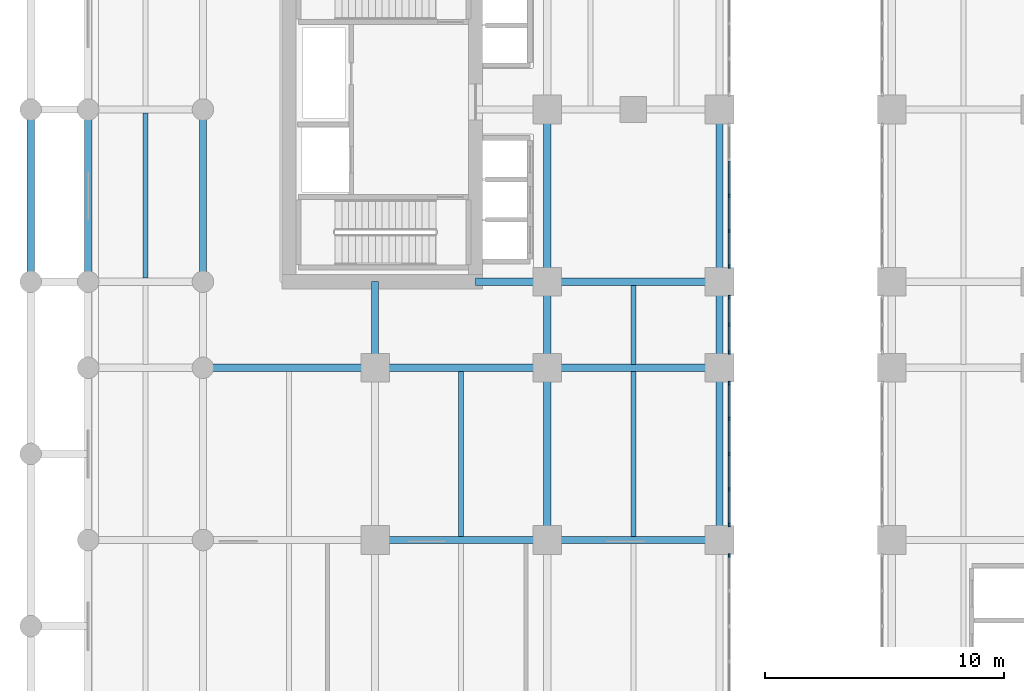
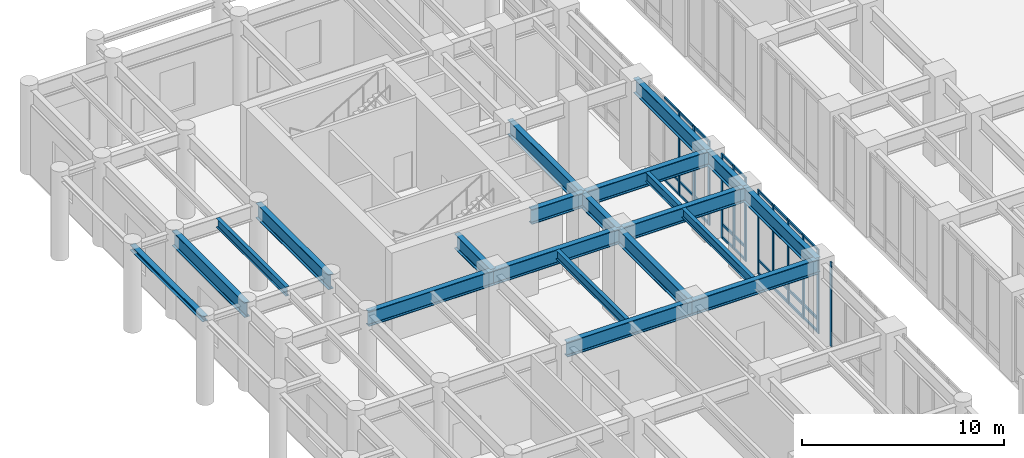
# One storey, part 3 of 23: 39 members, 21 beams, 4 elements without a shape of their own.
"""IFC4 building model written with IfcOpenShell, lengths in metres."""

import ifcopenshell
import ifcopenshell.guid

model = None  # the IFC model being written
_history = None  # IfcOwnerHistory: only IFC2X3 demands one
_inside = {}  # id of a spatial element -> (the spatial element, [elements in it])
_under = {}  # id of a project, library or spatial element -> (it, [spatial elements below it])
_declared = {}  # id of a project -> (the project, [libraries it declares])
_typed = {}  # id of a type object -> (the type object, [elements of that type])
_made_of = {}  # id of a material, layer set ... -> (it, [elements and type objects made of it])


def new_model(schema):
    """Start an empty IFC model of exactly this schema.

    Asked for "IFC4X3", IfcOpenShell would pick the latest addendum, in which some entities
    have other attributes; the version numbers below select the first issue.
    IFC2X3 requires an IfcOwnerHistory on every rooted entity: one is made here for all.
    """
    global model, _history
    if schema == "IFC4X3":
        model = ifcopenshell.file(schema_version=(4, 3, 0, 0))
    else:
        model = ifcopenshell.file(schema=schema)
    _inside.clear()
    _under.clear()
    _declared.clear()
    _typed.clear()
    _made_of.clear()
    _history = None
    if model.schema == "IFC2X3":
        org = make("IfcOrganization", Name="unknown")
        user = make(
            "IfcPersonAndOrganization",
            ThePerson=make("IfcPerson", FamilyName="unknown"),
            TheOrganization=org,
        )
        app = make(
            "IfcApplication",
            ApplicationDeveloper=org,
            Version="unknown",
            ApplicationFullName="unknown",
            ApplicationIdentifier="unknown",
        )
        _history = make(
            "IfcOwnerHistory",
            OwningUser=user,
            OwningApplication=app,
            ChangeAction="ADDED",
            CreationDate=0,
        )
    return model


def make(cls, **values):
    """One entity of the class cls with the attributes given. An attribute that is None is left unset."""
    return model.create_entity(
        cls, **{name: value for name, value in values.items() if value is not None}
    )


def rooted(cls, **values):
    """An entity with a GlobalId (a new one), such as an element, a storey or a relation."""
    return make(cls, GlobalId=ifcopenshell.guid.new(), OwnerHistory=_history, **values)


def si_unit(unit_type, name, prefix=None):
    """IfcSIUnit, for example si_unit("LENGTHUNIT", "METRE", prefix="MILLI")."""
    return make("IfcSIUnit", UnitType=unit_type, Prefix=prefix, Name=name)


def derived_unit(unit_type, elements):
    """IfcDerivedUnit: a product of units, each with its exponent."""
    return make(
        "IfcDerivedUnit",
        Elements=[
            make("IfcDerivedUnitElement", Unit=unit, Exponent=power)
            for unit, power in elements
        ],
        UnitType=unit_type,
    )


def assignment(units):
    """IfcUnitAssignment: the units of a project."""
    return None if units is None else make("IfcUnitAssignment", Units=units)


def point(xyz):
    """IfcCartesianPoint."""
    return None if xyz is None else make("IfcCartesianPoint", Coordinates=xyz)


def direction(xyz):
    """IfcDirection."""
    return None if xyz is None else make("IfcDirection", DirectionRatios=xyz)


def frame(location, z_axis=None, x_axis=None):
    """IfcAxis2Placement3D, a coordinate frame: its origin and axes. An axis left out is left unset."""
    return make(
        "IfcAxis2Placement3D",
        Location=point(location),
        Axis=direction(z_axis),
        RefDirection=direction(x_axis),
    )


def frame_2d(location, x_axis=None):
    """IfcAxis2Placement2D, a coordinate frame in the plane: its origin and x axis."""
    return make(
        "IfcAxis2Placement2D", Location=point(location), RefDirection=direction(x_axis)
    )


def origin():
    """The frame at (0, 0, 0) with its axes left unset."""
    return frame((0.0, 0.0, 0.0))


def origin_2d():
    """The frame at (0, 0) in the plane with its x axis left unset."""
    return frame_2d((0.0, 0.0))


def place(relative_to, where):
    """IfcLocalPlacement: puts the frame where relative to a parent placement (None: the world)."""
    return make(
        "IfcLocalPlacement", PlacementRelTo=relative_to, RelativePlacement=where
    )


def context(
    kind, dimensions, precision=None, world=None, true_north=None, identifier=None
):
    """IfcGeometricRepresentationContext, for example the 3D "Model" context."""
    return make(
        "IfcGeometricRepresentationContext",
        ContextIdentifier=identifier,
        ContextType=kind,
        CoordinateSpaceDimension=dimensions,
        Precision=precision,
        WorldCoordinateSystem=world,
        TrueNorth=true_north,
    )


def subcontext(parent, identifier, kind, view, scale=None):
    """IfcGeometricRepresentationSubContext, for example "Body" below "Model"."""
    return make(
        "IfcGeometricRepresentationSubContext",
        ContextIdentifier=identifier,
        ContextType=kind,
        ParentContext=parent,
        TargetScale=scale,
        TargetView=view,
    )


def project(units=None, contexts=None):
    """IfcProject with its units and contexts."""
    return rooted(
        "IfcProject",
        Name="project",
        RepresentationContexts=contexts,
        UnitsInContext=assignment(units),
    )


def spatial(cls, under=None, at=None, **own):
    """A site, building, storey or space (cls), placed at a placement, below another one or the project."""
    s = rooted(cls, ObjectPlacement=at, **own)
    if under is not None:
        _under.setdefault(under.id(), (under, []))[1].append(s)
    return s


def profile(cls, at=None, kind="AREA", **sizes):
    """A parametric profile (cls). Its sizes go by their IFC names, for example OverallWidth=200.0."""
    return make(cls, ProfileType=kind, Position=at, **sizes)


def rectangle(**sizes):
    """IfcRectangleProfileDef."""
    return profile("IfcRectangleProfileDef", **sizes)


def i_section(**sizes):
    """IfcIShapeProfileDef."""
    return profile("IfcIShapeProfileDef", **sizes)


def extrude(swept, where, along, depth):
    """IfcExtrudedAreaSolid: the profile swept, set in the frame where, extruded along a direction by depth."""
    return make(
        "IfcExtrudedAreaSolid",
        SweptArea=swept,
        Position=where,
        ExtrudedDirection=direction(along),
        Depth=depth,
    )


def shape(context_of_items, identifier, shape_type, items):
    """IfcShapeRepresentation: the items that make up one representation, for example the "Body"."""
    return make(
        "IfcShapeRepresentation",
        ContextOfItems=context_of_items,
        RepresentationIdentifier=identifier,
        RepresentationType=shape_type,
        Items=items,
    )


def source(mapping_origin, context_of_items, identifier, shape_type, items):
    """IfcRepresentationMap: a shape defined once, which mapped items show again and again."""
    return make(
        "IfcRepresentationMap",
        MappingOrigin=mapping_origin,
        MappedRepresentation=shape(context_of_items, identifier, shape_type, items),
    )


def transform(
    local_origin,
    x_axis=None,
    y_axis=None,
    z_axis=None,
    scale=None,
    scale2=None,
    scale3=None,
    uniform=True,
):
    """IfcCartesianTransformationOperator3D, or its non-uniform kind. x_axis, y_axis, z_axis: its Axis1, 2, 3."""
    if uniform:
        return make(
            "IfcCartesianTransformationOperator3D",
            Axis1=direction(x_axis),
            Axis2=direction(y_axis),
            LocalOrigin=point(local_origin),
            Scale=scale,
            Axis3=direction(z_axis),
        )
    return make(
        "IfcCartesianTransformationOperator3DnonUniform",
        Axis1=direction(x_axis),
        Axis2=direction(y_axis),
        LocalOrigin=point(local_origin),
        Scale=scale,
        Axis3=direction(z_axis),
        Scale2=scale2,
        Scale3=scale3,
    )


def mapped(mapping_source, mapping_target):
    """IfcMappedItem: shows the shape of a source again, moved by a transform."""
    return make(
        "IfcMappedItem", MappingSource=mapping_source, MappingTarget=mapping_target
    )


def material(Name=None, Category=None):
    """IfcMaterial."""
    return make("IfcMaterial", Name=Name, Category=Category)


def layer(
    of_material, thickness, ventilated=None, Name=None, Category=None, Priority=None
):
    """IfcMaterialLayer: one layer of a wall or slab, of a material (None: an air gap)."""
    return make(
        "IfcMaterialLayer",
        Material=of_material,
        LayerThickness=thickness,
        IsVentilated=ventilated,
        Name=Name,
        Category=Category,
        Priority=Priority,
    )


def layer_set(layers, Name=None):
    """IfcMaterialLayerSet."""
    return make("IfcMaterialLayerSet", MaterialLayers=layers, LayerSetName=Name)


def material_profile(
    of_material, cross_section, Name=None, Category=None, Priority=None
):
    """IfcMaterialProfile: a cross section and its material."""
    return make(
        "IfcMaterialProfile",
        Name=Name,
        Material=of_material,
        Profile=cross_section,
        Priority=Priority,
        Category=Category,
    )


def profile_set(profiles, Name=None, composite=None):
    """IfcMaterialProfileSet."""
    return make(
        "IfcMaterialProfileSet",
        Name=Name,
        MaterialProfiles=profiles,
        CompositeProfile=composite,
    )


def made_of(thing, what):
    """Note that an element or type object is made of a material, layer set ...; save() writes the relation."""
    if what is not None:
        _made_of.setdefault(what.id(), (what, []))[1].append(thing)
    return thing


def type_object(cls, material=None, **own):
    """A type object (cls), such as IfcWallType, which elements share."""
    return made_of(rooted(cls, **own), material)


def type_shapes(of_type, sources):
    """Give a type object the sources (RepresentationMaps) that its elements show as mapped items."""
    of_type.RepresentationMaps = sources


def element(
    cls,
    number,
    at=None,
    inside=None,
    cuts=None,
    type_object=None,
    material=None,
    context=None,
    identifier="Body",
    shape_type=None,
    held_by="IfcProductDefinitionShape",
    body=None,
    shapes=None,
    **own,
):
    """One element of the class cls, such as IfcWall. Its Tag is "e" and its number.

    at: its placement. inside: the storey or other place that contains it. cuts: it is an
    opening in that element (IfcRelVoidsElement). A single representation is given by context,
    identifier, shape_type and body (its items); several are given by shapes. held_by: the class
    of the entity that holds the representations. save() writes the other relations.
    """
    e = rooted(cls, Tag="e%d" % number, ObjectPlacement=at, **own)
    if body is not None:
        shapes = [shape(context, identifier, shape_type, body)]
    if shapes is not None:
        e.Representation = make(held_by, Representations=shapes)
    if inside is not None:
        _inside.setdefault(inside.id(), (inside, []))[1].append(e)
    if cuts is not None:
        rooted(
            "IfcRelVoidsElement", RelatingBuildingElement=cuts, RelatedOpeningElement=e
        )
    if type_object is not None:
        _typed.setdefault(type_object.id(), (type_object, []))[1].append(e)
    return made_of(e, material)


def aggregate(whole, parts):
    """IfcRelAggregates: a whole, such as a stair, and the parts it consists of."""
    return rooted("IfcRelAggregates", RelatingObject=whole, RelatedObjects=parts)


def save(model, path):
    """Write the relations noted so far, then the file.

    IfcRelAggregates (storeys below a building ...), IfcRelContainedInSpatialStructure (elements
    in a storey), IfcRelDefinesByType, IfcRelAssociatesMaterial and IfcRelDeclares: one each for
    every whole, place, type object, material and project.
    """
    for whole, parts in _under.values():
        aggregate(whole, parts)
    for where, things in _inside.values():
        rooted(
            "IfcRelContainedInSpatialStructure",
            RelatedElements=things,
            RelatingStructure=where,
        )
    for kind, things in _typed.values():
        rooted("IfcRelDefinesByType", RelatedObjects=things, RelatingType=kind)
    for what, things in _made_of.values():
        rooted("IfcRelAssociatesMaterial", RelatedObjects=things, RelatingMaterial=what)
    for by, libraries in _declared.values():
        rooted("IfcRelDeclares", RelatingContext=by, RelatedDefinitions=libraries)
    model.write(path)


model = new_model("IFC4")

# Units and contexts
model_context = context("Model", 3, precision=1e-05, world=origin(), true_north=direction((0.0, 1.0)))
body_context = subcontext(model_context, "Body", "Model", "MODEL_VIEW")
ifc_project = project(units=[si_unit("LENGTHUNIT", "METRE"), si_unit("AREAUNIT", "SQUARE_METRE"), si_unit("VOLUMEUNIT", "CUBIC_METRE"), si_unit("PLANEANGLEUNIT", "RADIAN"), si_unit("MASSUNIT", "GRAM", prefix="KILO"), si_unit("THERMODYNAMICTEMPERATUREUNIT", "KELVIN"), si_unit("POWERUNIT", "WATT"), derived_unit("THERMALTRANSMITTANCEUNIT", [(si_unit("POWERUNIT", "WATT"), 1), (si_unit("AREAUNIT", "SQUARE_METRE"), -1), (si_unit("THERMODYNAMICTEMPERATUREUNIT", "KELVIN"), -1)])], contexts=[model_context])

# Site, building, storey
site_placement = place(None, origin())
site = spatial("IfcSite", under=ifc_project, at=site_placement, CompositionType="ELEMENT")
building_placement = place(site_placement, origin())
building = spatial("IfcBuilding", under=site, at=building_placement, Name="Zahravan Archway Hotel and Residences", CompositionType="ELEMENT")
storey_placement = place(building_placement, frame((0.0, 0.0, 5.39990234375)))
storey = spatial("IfcBuildingStorey", under=building, at=storey_placement, Name="L01", CompositionType="ELEMENT", Elevation=5.39990234375)

# Beams
ifc_material_1 = material(Name="Structural Steel S355J2", Category="steel")
ifc_material_profile_1 = material_profile(ifc_material_1, i_section(OverallWidth=0.300048828125, OverallDepth=0.89990234375, WebThickness=0.0185546875, FlangeThickness=0.034912109375, FilletRadius=0.030029296875, at=origin_2d()), Name="HEB 900", Category="steel")
ifc_profile_set_1 = profile_set([ifc_material_profile_1], Name="Structural Steel S355J2")
beam_type_1 = type_object("IfcBeamType", Name="BM-PRI-HEB900", PredefinedType="BEAM", material=ifc_profile_set_1)
shared_shape_1 = source(origin(), body_context, "Body", "SweptSolid", [
    extrude(i_section(OverallWidth=0.300048828125, OverallDepth=0.89990234375, WebThickness=0.0185546875, FlangeThickness=0.034912109375, FilletRadius=0.030029296875, at=origin_2d()), origin(), (0.0, 0.0, 1.0), 7.199951171875),
])
for number, where, z_axis, x_axis, name in (
    (1, (7.199951171875, 14.39990234375, 4.650146484375), (1.0, 0.0, 0.0), (0.0, 1.0, 0.0), "L01 Primary Girder EW-21"),
    (2, (0.0, 21.60009765625, 4.650146484375), (1.0, 0.0, 0.0), (0.0, 1.0, 0.0), "L01 Primary Girder EW-28"),
    (3, (7.199951171875, 21.60009765625, 4.650146484375), (1.0, 0.0, 0.0), (0.0, 1.0, 0.0), "L01 Primary Girder EW-29"),
    (4, (-4.800048828125, 25.199951171875, 4.650146484375), (0.0, 1.0, 0.0), (-1.0, 0.0, 0.0), "L01 Primary Girder NS-66"),
    (5, (0.0, 25.199951171875, 4.650146484375), (0.0, 1.0, 0.0), (-1.0, 0.0, 0.0), "L01 Primary Girder NS-73"),
    (6, (14.39990234375, 25.199951171875, 4.650146484375), (0.0, 1.0, 0.0), (-1.0, 0.0, 0.0), "L01 Primary Girder NS-85"),
    (7, (21.60009765625, 25.199951171875, 4.650146484375), (0.0, 1.0, 0.0), (-1.0, 0.0, 0.0), "L01 Primary Girder NS-92"),
):
    element("IfcBeam", number, at=place(storey_placement, frame(where, z_axis=z_axis, x_axis=x_axis)), inside=storey, type_object=beam_type_1, Name=name, PredefinedType="BEAM", context=body_context, shape_type="MappedRepresentation", body=[
        mapped(shared_shape_1, transform((0.0, 0.0, 0.0), scale=1.0)),
    ])
shared_shape_2 = source(origin(), body_context, "Body", "SweptSolid", [
    extrude(i_section(OverallWidth=0.300048828125, OverallDepth=0.89990234375, WebThickness=0.0185546875, FlangeThickness=0.034912109375, FilletRadius=0.030029296875, at=origin_2d()), origin(), (0.0, 0.0, 1.0), 7.2001953125),
])
for number, where, z_axis, x_axis, name in (
    (8, (14.39990234375, 14.39990234375, 4.650146484375), (1.0, 0.0, 0.0), (0.0, 1.0, 0.0), "L01 Primary Girder EW-22"),
    (9, (14.39990234375, 21.60009765625, 4.650146484375), (1.0, 0.0, 0.0), (0.0, 1.0, 0.0), "L01 Primary Girder EW-30"),
    (10, (14.39990234375, 25.199951171875, 4.650146484375), (1.0, 0.0, 0.0), (0.0, 1.0, 0.0), "L01 Primary Girder EW-39"),
    (11, (14.39990234375, 14.39990234375, 4.650146484375), (0.0, 1.0, 0.0), (-1.0, 0.0, 0.0), "L01 Primary Girder NS-83"),
    (12, (21.60009765625, 14.39990234375, 4.650146484375), (0.0, 1.0, 0.0), (-1.0, 0.0, 0.0), "L01 Primary Girder NS-90"),
):
    element("IfcBeam", number, at=place(storey_placement, frame(where, z_axis=z_axis, x_axis=x_axis)), inside=storey, type_object=beam_type_1, Name=name, PredefinedType="BEAM", context=body_context, shape_type="MappedRepresentation", body=[
        mapped(shared_shape_2, transform((0.0, 0.0, 0.0), scale=1.0)),
    ])
shared_shape_3 = source(origin(), body_context, "Body", "SweptSolid", [
    extrude(i_section(OverallWidth=0.300048828125, OverallDepth=0.89990234375, WebThickness=0.0185546875, FlangeThickness=0.034912109375, FilletRadius=0.030029296875, at=origin_2d()), origin(), (0.0, 0.0, 1.0), 3.0),
])
beam_1_placement = place(storey_placement, frame((11.39990234375, 25.199951171875, 4.650146484375), z_axis=(1.0, 0.0, 0.0), x_axis=(0.0, 1.0, 0.0)))
element("IfcBeam", 13, at=beam_1_placement, inside=storey, type_object=beam_type_1, Name="L01 Primary Girder EW-38", PredefinedType="BEAM", context=body_context, shape_type="MappedRepresentation", body=[
    mapped(shared_shape_3, transform((0.0, 0.0, 0.0), scale=1.0)),
])
shared_shape_4 = source(origin(), body_context, "Body", "SweptSolid", [
    extrude(i_section(OverallWidth=0.300048828125, OverallDepth=0.89990234375, WebThickness=0.0185546875, FlangeThickness=0.034912109375, FilletRadius=0.030029296875, at=origin_2d()), origin(), (0.0, 0.0, 1.0), 3.599853515625),
])
for number, where, z_axis, x_axis, name in (
    (14, (7.199951171875, 21.60009765625, 4.650146484375), (0.0, 1.0, 0.0), (-1.0, 0.0, 0.0), "L01 Primary Girder NS-79"),
    (15, (14.39990234375, 21.60009765625, 4.650146484375), (0.0, 1.0, 0.0), (-1.0, 0.0, 0.0), "L01 Primary Girder NS-84"),
    (16, (21.60009765625, 21.60009765625, 4.650146484375), (0.0, 1.0, 0.0), (-1.0, 0.0, 0.0), "L01 Primary Girder NS-91"),
):
    element("IfcBeam", number, at=place(storey_placement, frame(where, z_axis=z_axis, x_axis=x_axis)), inside=storey, type_object=beam_type_1, Name=name, PredefinedType="BEAM", context=body_context, shape_type="MappedRepresentation", body=[
        mapped(shared_shape_4, transform((0.0, 0.0, 0.0), scale=1.0)),
    ])
ifc_material_2 = material(Name="Structural Steel S355JR", Category="steel")
ifc_material_profile_2 = material_profile(ifc_material_2, i_section(OverallWidth=0.2099609375, OverallDepth=0.550048828125, WebThickness=0.010986328125, FlangeThickness=0.01708984375, FilletRadius=0.02392578125, at=origin_2d()), Name="IPE 550", Category="steel")
ifc_profile_set_2 = profile_set([ifc_material_profile_2], Name="Structural Steel S355JR")
beam_type_2 = type_object("IfcBeamType", Name="BM-JST-IPE550", PredefinedType="JOIST", material=ifc_profile_set_2)
shared_shape_5 = source(origin(), body_context, "Body", "SweptSolid", [
    extrude(i_section(OverallWidth=0.2099609375, OverallDepth=0.550048828125, WebThickness=0.010986328125, FlangeThickness=0.01708984375, FilletRadius=0.02392578125, at=origin_2d()), origin(), (0.0, 0.0, 1.0), 6.904052734375),
])
type_shapes(beam_type_2, [shared_shape_5])
beam_2_placement = place(storey_placement, frame((-2.39990234375, 25.347900390625, 4.8251953125), z_axis=(0.0, 1.0, 0.0), x_axis=(-1.0, 0.0, 0.0)))
element("IfcBeam", 17, at=beam_2_placement, inside=storey, type_object=beam_type_2, Name="L01 Composite Floor Joist 28", PredefinedType="JOIST", context=body_context, shape_type="MappedRepresentation", body=[
    mapped(shared_shape_5, transform((0.0, 0.0, 0.0), scale=1.0)),
])
shared_shape_6 = source(origin(), body_context, "Body", "SweptSolid", [
    extrude(i_section(OverallWidth=0.2099609375, OverallDepth=0.550048828125, WebThickness=0.010986328125, FlangeThickness=0.01708984375, FilletRadius=0.02392578125, at=origin_2d()), origin(), (0.0, 0.0, 1.0), 6.90380859375),
])
for number, where, z_axis, x_axis, name in (
    (18, (10.800048828125, 14.548095703125, 4.8251953125), (0.0, 1.0, 0.0), (-1.0, 0.0, 0.0), "L01 Composite Floor Joist 19"),
    (19, (18.0, 14.548095703125, 4.8251953125), (0.0, 1.0, 0.0), (-1.0, 0.0, 0.0), "L01 Composite Floor Joist 20"),
):
    element("IfcBeam", number, at=place(storey_placement, frame(where, z_axis=z_axis, x_axis=x_axis)), inside=storey, type_object=beam_type_2, Name=name, PredefinedType="JOIST", context=body_context, shape_type="MappedRepresentation", body=[
        mapped(shared_shape_6, transform((0.0, 0.0, 0.0), scale=1.0)),
    ])
shared_shape_7 = source(origin(), body_context, "Body", "SweptSolid", [
    extrude(i_section(OverallWidth=0.2099609375, OverallDepth=0.550048828125, WebThickness=0.010986328125, FlangeThickness=0.01708984375, FilletRadius=0.02392578125, at=origin_2d()), origin(), (0.0, 0.0, 1.0), 3.303955078125),
])
beam_3_placement = place(storey_placement, frame((18.0, 21.748046875, 4.8251953125), z_axis=(0.0, 1.0, 0.0), x_axis=(-1.0, 0.0, 0.0)))
element("IfcBeam", 20, at=beam_3_placement, inside=storey, type_object=beam_type_2, Name="L01 Composite Floor Joist 26", PredefinedType="JOIST", context=body_context, shape_type="MappedRepresentation", body=[
    mapped(shared_shape_7, transform((0.0, 0.0, 0.0), scale=1.0)),
])
ifc_material_profile_3 = material_profile(ifc_material_2, i_section(OverallWidth=0.300048828125, OverallDepth=0.320068359375, WebThickness=0.011474609375, FlangeThickness=0.0205078125, FilletRadius=0.027099609375, at=origin_2d()), Name="HEB 320", Category="steel")
ifc_profile_set_3 = profile_set([ifc_material_profile_3], Name="Structural Steel S355JR")
beam_type_3 = type_object("IfcBeamType", Name="BM-SPN-HEB320", PredefinedType="SPANDREL", material=ifc_profile_set_3)
shared_shape_8 = source(origin(), body_context, "Body", "SweptSolid", [
    extrude(i_section(OverallWidth=0.300048828125, OverallDepth=0.320068359375, WebThickness=0.011474609375, FlangeThickness=0.0205078125, FilletRadius=0.027099609375, at=origin_2d()), origin(), (0.0, 0.0, 1.0), 7.199951171875),
])
type_shapes(beam_type_3, [shared_shape_8])
beam_4_placement = place(storey_placement, frame((-7.199951171875, 25.199951171875, 4.940185546875), z_axis=(0.0, 1.0, 0.0), x_axis=(-1.0, 0.0, 0.0)))
element("IfcBeam", 21, at=beam_4_placement, inside=storey, type_object=beam_type_3, Name="L01 West Colonnade Spandrel 4", PredefinedType="SPANDREL", context=body_context, shape_type="MappedRepresentation", body=[
    mapped(shared_shape_8, transform((0.0, 0.0, 0.0), scale=1.0)),
])

# Curtain wall, member
ifc_material_3 = material(Name="Bronze-Anodized Unitised Aluminium & Low-E Glass", Category="aluminium")
ifc_layer = layer(ifc_material_3, 0.179931640625, Name="Bronze-Anodized Unitised Aluminium & Low-E Glass", Category="aluminium")
ifc_layer_set = layer_set([ifc_layer], Name="Bronze-Anodized Unitised Aluminium & Low-E Glass")
curtain_wall_type = type_object("IfcCurtainWallType", Name="CW-POD-ARCH", PredefinedType="NOTDEFINED", material=ifc_layer_set)
curtain_wall_1_placement = place(storey_placement, origin())
curtain_wall_1 = element("IfcCurtainWall", 22, at=curtain_wall_1_placement, inside=storey, type_object=curtain_wall_type, Name="L01 Curtain Wall CW-PORTW-L01-2", PredefinedType="NOTDEFINED")
ifc_material_4 = material(Name="Bronze-Anodized Extruded Aluminium", Category="aluminium")
ifc_material_profile_4 = material_profile(ifc_material_4, rectangle(XDim=0.080078125, YDim=0.159912109375, at=origin_2d()), Name="MUL 80x160", Category="aluminium")
ifc_profile_set_4 = profile_set([ifc_material_profile_4], Name="Bronze-Anodized Extruded Aluminium")
member_type_1 = type_object("IfcMemberType", Name="CWM-MUL-160", PredefinedType="MULLION", material=ifc_profile_set_4)
shared_shape_9 = source(origin(), body_context, "Body", "SweptSolid", [
    extrude(rectangle(XDim=0.080078125, YDim=0.159912109375, at=origin_2d()), origin(), (0.0, 0.0, 1.0), 5.10009765625),
])
member_1_placement = place(storey_placement, frame((22.0, 13.7548828125, 0.0), z_axis=(0.0, 0.0, 1.0), x_axis=(1.0, 0.0, 0.0)))
member_1 = element("IfcMember", 23, at=member_1_placement, type_object=member_type_1, Name="CW-PORTW-L01-2 Mullion 4", PredefinedType="MULLION", context=body_context, shape_type="MappedRepresentation", body=[
    mapped(shared_shape_9, transform((0.0, 0.0, 0.0), scale=1.0)),
])
aggregate(curtain_wall_1, [member_1])

# Curtain wall, members
curtain_wall_2_placement = place(storey_placement, origin())
curtain_wall_2 = element("IfcCurtainWall", 24, at=curtain_wall_2_placement, inside=storey, type_object=curtain_wall_type, Name="L01 Curtain Wall CW-PORTW-L01-3", PredefinedType="NOTDEFINED")
member_2_placement = place(storey_placement, frame((22.0, 15.045166015625, 0.0), z_axis=(0.0, 0.0, 1.0), x_axis=(1.0, 0.0, 0.0)))
member_2 = element("IfcMember", 25, at=member_2_placement, type_object=member_type_1, Name="CW-PORTW-L01-3 Mullion 0", PredefinedType="MULLION", context=body_context, shape_type="MappedRepresentation", body=[
    mapped(shared_shape_9, transform((0.0, 0.0, 0.0), scale=1.0)),
])
member_3_placement = place(storey_placement, frame((22.0, 16.522705078125, 0.0), z_axis=(0.0, 0.0, 1.0), x_axis=(1.0, 0.0, 0.0)))
member_3 = element("IfcMember", 26, at=member_3_placement, type_object=member_type_1, Name="CW-PORTW-L01-3 Mullion 1", PredefinedType="MULLION", context=body_context, shape_type="MappedRepresentation", body=[
    mapped(shared_shape_9, transform((0.0, 0.0, 0.0), scale=1.0)),
])
member_4_placement = place(storey_placement, frame((22.0, 18.0, 0.0), z_axis=(0.0, 0.0, 1.0), x_axis=(1.0, 0.0, 0.0)))
member_4 = element("IfcMember", 27, at=member_4_placement, type_object=member_type_1, Name="CW-PORTW-L01-3 Mullion 2", PredefinedType="MULLION", context=body_context, shape_type="MappedRepresentation", body=[
    mapped(shared_shape_9, transform((0.0, 0.0, 0.0), scale=1.0)),
])
member_5_placement = place(storey_placement, frame((22.0, 19.477294921875, 0.0), z_axis=(0.0, 0.0, 1.0), x_axis=(1.0, 0.0, 0.0)))
member_5 = element("IfcMember", 28, at=member_5_placement, type_object=member_type_1, Name="CW-PORTW-L01-3 Mullion 3", PredefinedType="MULLION", context=body_context, shape_type="MappedRepresentation", body=[
    mapped(shared_shape_9, transform((0.0, 0.0, 0.0), scale=1.0)),
])
member_6_placement = place(storey_placement, frame((22.0, 20.954833984375, 0.0), z_axis=(0.0, 0.0, 1.0), x_axis=(1.0, 0.0, 0.0)))
member_6 = element("IfcMember", 29, at=member_6_placement, type_object=member_type_1, Name="CW-PORTW-L01-3 Mullion 4", PredefinedType="MULLION", context=body_context, shape_type="MappedRepresentation", body=[
    mapped(shared_shape_9, transform((0.0, 0.0, 0.0), scale=1.0)),
])

curtain_wall_3_placement = place(storey_placement, origin())
curtain_wall_3 = element("IfcCurtainWall", 30, at=curtain_wall_3_placement, inside=storey, type_object=curtain_wall_type, Name="L01 Curtain Wall CW-PORTW-L01-4", PredefinedType="NOTDEFINED")
member_7_placement = place(storey_placement, frame((22.0, 22.2451171875, 0.0), z_axis=(0.0, 0.0, 1.0), x_axis=(1.0, 0.0, 0.0)))
member_7 = element("IfcMember", 31, at=member_7_placement, type_object=member_type_1, Name="CW-PORTW-L01-4 Mullion 0", PredefinedType="MULLION", context=body_context, shape_type="MappedRepresentation", body=[
    mapped(shared_shape_9, transform((0.0, 0.0, 0.0), scale=1.0)),
])
member_8_placement = place(storey_placement, frame((22.0, 23.39990234375, 0.0), z_axis=(0.0, 0.0, 1.0), x_axis=(1.0, 0.0, 0.0)))
member_8 = element("IfcMember", 32, at=member_8_placement, type_object=member_type_1, Name="CW-PORTW-L01-4 Mullion 1", PredefinedType="MULLION", context=body_context, shape_type="MappedRepresentation", body=[
    mapped(shared_shape_9, transform((0.0, 0.0, 0.0), scale=1.0)),
])
member_9_placement = place(storey_placement, frame((22.0, 24.5546875, 0.0), z_axis=(0.0, 0.0, 1.0), x_axis=(1.0, 0.0, 0.0)))
member_9 = element("IfcMember", 33, at=member_9_placement, type_object=member_type_1, Name="CW-PORTW-L01-4 Mullion 2", PredefinedType="MULLION", context=body_context, shape_type="MappedRepresentation", body=[
    mapped(shared_shape_9, transform((0.0, 0.0, 0.0), scale=1.0)),
])

curtain_wall_4_placement = place(storey_placement, origin())
curtain_wall_4 = element("IfcCurtainWall", 34, at=curtain_wall_4_placement, inside=storey, type_object=curtain_wall_type, Name="L01 Curtain Wall CW-PORTW-L01-5", PredefinedType="NOTDEFINED")
member_10_placement = place(storey_placement, frame((22.0, 25.84521484375, 0.0), z_axis=(0.0, 0.0, 1.0), x_axis=(1.0, 0.0, 0.0)))
member_10 = element("IfcMember", 35, at=member_10_placement, type_object=member_type_1, Name="CW-PORTW-L01-5 Mullion 0", PredefinedType="MULLION", context=body_context, shape_type="MappedRepresentation", body=[
    mapped(shared_shape_9, transform((0.0, 0.0, 0.0), scale=1.0)),
])
member_11_placement = place(storey_placement, frame((22.0, 27.322509765625, 0.0), z_axis=(0.0, 0.0, 1.0), x_axis=(1.0, 0.0, 0.0)))
member_11 = element("IfcMember", 36, at=member_11_placement, type_object=member_type_1, Name="CW-PORTW-L01-5 Mullion 1", PredefinedType="MULLION", context=body_context, shape_type="MappedRepresentation", body=[
    mapped(shared_shape_9, transform((0.0, 0.0, 0.0), scale=1.0)),
])
member_12_placement = place(storey_placement, frame((22.0, 28.800048828125, 0.0), z_axis=(0.0, 0.0, 1.0), x_axis=(1.0, 0.0, 0.0)))
member_12 = element("IfcMember", 37, at=member_12_placement, type_object=member_type_1, Name="CW-PORTW-L01-5 Mullion 2", PredefinedType="MULLION", context=body_context, shape_type="MappedRepresentation", body=[
    mapped(shared_shape_9, transform((0.0, 0.0, 0.0), scale=1.0)),
])
ifc_material_profile_5 = material_profile(ifc_material_4, rectangle(XDim=0.080078125, YDim=0.139892578125, at=origin_2d()), Name="TRN 80x140", Category="aluminium")
ifc_profile_set_5 = profile_set([ifc_material_profile_5], Name="Bronze-Anodized Extruded Aluminium")
member_type_2 = type_object("IfcMemberType", Name="CWM-TRN-140", PredefinedType="USERDEFINED", material=ifc_profile_set_5)
shared_shape_10 = source(origin(), body_context, "Body", "SweptSolid", [
    extrude(rectangle(XDim=0.080078125, YDim=0.139892578125, at=origin_2d()), origin(), (0.0, 0.0, 1.0), 1.397216796875),
])
member_13_placement = place(storey_placement, frame((22.0, 28.840087890625, 0.070068359375), z_axis=(0.0, 1.0, 0.0), x_axis=(-1.0, 0.0, 0.0)))
member_13 = element("IfcMember", 38, at=member_13_placement, type_object=member_type_2, Name="CW-PORTW-L01-5 Transom 2-1", ObjectType="TRANSOM", PredefinedType="USERDEFINED", context=body_context, shape_type="MappedRepresentation", body=[
    mapped(shared_shape_10, transform((0.0, 0.0, 0.0), scale=1.0)),
])
member_14_placement = place(storey_placement, frame((22.0, 28.840087890625, 0.85009765625), z_axis=(0.0, 1.0, 0.0), x_axis=(-1.0, 0.0, 0.0)))
member_14 = element("IfcMember", 39, at=member_14_placement, type_object=member_type_2, Name="CW-PORTW-L01-5 Transom 2-2", ObjectType="TRANSOM", PredefinedType="USERDEFINED", context=body_context, shape_type="MappedRepresentation", body=[
    mapped(shared_shape_10, transform((0.0, 0.0, 0.0), scale=1.0)),
])
member_15_placement = place(storey_placement, frame((22.0, 28.840087890625, 5.030029296875), z_axis=(0.0, 1.0, 0.0), x_axis=(-1.0, 0.0, 0.0)))
member_15 = element("IfcMember", 40, at=member_15_placement, type_object=member_type_2, Name="CW-PORTW-L01-5 Transom 2-3", ObjectType="TRANSOM", PredefinedType="USERDEFINED", context=body_context, shape_type="MappedRepresentation", body=[
    mapped(shared_shape_10, transform((0.0, 0.0, 0.0), scale=1.0)),
])

# Member
shared_shape_11 = source(origin(), body_context, "Body", "SweptSolid", [
    extrude(rectangle(XDim=0.080078125, YDim=0.139892578125, at=origin_2d()), origin(), (0.0, 0.0, 1.0), 1.3974609375),
])
member_16_placement = place(storey_placement, frame((22.0, 15.085205078125, 0.070068359375), z_axis=(0.0, 1.0, 0.0), x_axis=(-1.0, 0.0, 0.0)))
member_16 = element("IfcMember", 41, at=member_16_placement, type_object=member_type_2, Name="CW-PORTW-L01-3 Transom 0-1", ObjectType="TRANSOM", PredefinedType="USERDEFINED", context=body_context, shape_type="MappedRepresentation", body=[
    mapped(shared_shape_11, transform((0.0, 0.0, 0.0), scale=1.0)),
])

member_17_placement = place(storey_placement, frame((22.0, 15.085205078125, 0.85009765625), z_axis=(0.0, 1.0, 0.0), x_axis=(-1.0, 0.0, 0.0)))
member_17 = element("IfcMember", 42, at=member_17_placement, type_object=member_type_2, Name="CW-PORTW-L01-3 Transom 0-2", ObjectType="TRANSOM", PredefinedType="USERDEFINED", context=body_context, shape_type="MappedRepresentation", body=[
    mapped(shared_shape_11, transform((0.0, 0.0, 0.0), scale=1.0)),
])

member_18_placement = place(storey_placement, frame((22.0, 15.085205078125, 5.030029296875), z_axis=(0.0, 1.0, 0.0), x_axis=(-1.0, 0.0, 0.0)))
member_18 = element("IfcMember", 43, at=member_18_placement, type_object=member_type_2, Name="CW-PORTW-L01-3 Transom 0-3", ObjectType="TRANSOM", PredefinedType="USERDEFINED", context=body_context, shape_type="MappedRepresentation", body=[
    mapped(shared_shape_11, transform((0.0, 0.0, 0.0), scale=1.0)),
])

member_19_placement = place(storey_placement, frame((22.0, 16.5625, 0.070068359375), z_axis=(0.0, 1.0, 0.0), x_axis=(-1.0, 0.0, 0.0)))
member_19 = element("IfcMember", 44, at=member_19_placement, type_object=member_type_2, Name="CW-PORTW-L01-3 Transom 1-1", ObjectType="TRANSOM", PredefinedType="USERDEFINED", context=body_context, shape_type="MappedRepresentation", body=[
    mapped(shared_shape_11, transform((0.0, 0.0, 0.0), scale=1.0)),
])

member_20_placement = place(storey_placement, frame((22.0, 16.5625, 0.85009765625), z_axis=(0.0, 1.0, 0.0), x_axis=(-1.0, 0.0, 0.0)))
member_20 = element("IfcMember", 45, at=member_20_placement, type_object=member_type_2, Name="CW-PORTW-L01-3 Transom 1-2", ObjectType="TRANSOM", PredefinedType="USERDEFINED", context=body_context, shape_type="MappedRepresentation", body=[
    mapped(shared_shape_11, transform((0.0, 0.0, 0.0), scale=1.0)),
])

member_21_placement = place(storey_placement, frame((22.0, 16.5625, 5.030029296875), z_axis=(0.0, 1.0, 0.0), x_axis=(-1.0, 0.0, 0.0)))
member_21 = element("IfcMember", 46, at=member_21_placement, type_object=member_type_2, Name="CW-PORTW-L01-3 Transom 1-3", ObjectType="TRANSOM", PredefinedType="USERDEFINED", context=body_context, shape_type="MappedRepresentation", body=[
    mapped(shared_shape_11, transform((0.0, 0.0, 0.0), scale=1.0)),
])

member_22_placement = place(storey_placement, frame((22.0, 18.0400390625, 0.070068359375), z_axis=(0.0, 1.0, 0.0), x_axis=(-1.0, 0.0, 0.0)))
member_22 = element("IfcMember", 47, at=member_22_placement, type_object=member_type_2, Name="CW-PORTW-L01-3 Transom 2-1", ObjectType="TRANSOM", PredefinedType="USERDEFINED", context=body_context, shape_type="MappedRepresentation", body=[
    mapped(shared_shape_11, transform((0.0, 0.0, 0.0), scale=1.0)),
])

member_23_placement = place(storey_placement, frame((22.0, 18.0400390625, 0.85009765625), z_axis=(0.0, 1.0, 0.0), x_axis=(-1.0, 0.0, 0.0)))
member_23 = element("IfcMember", 48, at=member_23_placement, type_object=member_type_2, Name="CW-PORTW-L01-3 Transom 2-2", ObjectType="TRANSOM", PredefinedType="USERDEFINED", context=body_context, shape_type="MappedRepresentation", body=[
    mapped(shared_shape_11, transform((0.0, 0.0, 0.0), scale=1.0)),
])

member_24_placement = place(storey_placement, frame((22.0, 18.0400390625, 5.030029296875), z_axis=(0.0, 1.0, 0.0), x_axis=(-1.0, 0.0, 0.0)))
member_24 = element("IfcMember", 49, at=member_24_placement, type_object=member_type_2, Name="CW-PORTW-L01-3 Transom 2-3", ObjectType="TRANSOM", PredefinedType="USERDEFINED", context=body_context, shape_type="MappedRepresentation", body=[
    mapped(shared_shape_11, transform((0.0, 0.0, 0.0), scale=1.0)),
])

member_25_placement = place(storey_placement, frame((22.0, 19.517333984375, 0.070068359375), z_axis=(0.0, 1.0, 0.0), x_axis=(-1.0, 0.0, 0.0)))
member_25 = element("IfcMember", 50, at=member_25_placement, type_object=member_type_2, Name="CW-PORTW-L01-3 Transom 3-1", ObjectType="TRANSOM", PredefinedType="USERDEFINED", context=body_context, shape_type="MappedRepresentation", body=[
    mapped(shared_shape_11, transform((0.0, 0.0, 0.0), scale=1.0)),
])

member_26_placement = place(storey_placement, frame((22.0, 19.517333984375, 0.85009765625), z_axis=(0.0, 1.0, 0.0), x_axis=(-1.0, 0.0, 0.0)))
member_26 = element("IfcMember", 51, at=member_26_placement, type_object=member_type_2, Name="CW-PORTW-L01-3 Transom 3-2", ObjectType="TRANSOM", PredefinedType="USERDEFINED", context=body_context, shape_type="MappedRepresentation", body=[
    mapped(shared_shape_11, transform((0.0, 0.0, 0.0), scale=1.0)),
])

member_27_placement = place(storey_placement, frame((22.0, 19.517333984375, 5.030029296875), z_axis=(0.0, 1.0, 0.0), x_axis=(-1.0, 0.0, 0.0)))
member_27 = element("IfcMember", 52, at=member_27_placement, type_object=member_type_2, Name="CW-PORTW-L01-3 Transom 3-3", ObjectType="TRANSOM", PredefinedType="USERDEFINED", context=body_context, shape_type="MappedRepresentation", body=[
    mapped(shared_shape_11, transform((0.0, 0.0, 0.0), scale=1.0)),
])

aggregate(curtain_wall_2, [member_2, member_3, member_4, member_5, member_6, member_16, member_17, member_18, member_19, member_20, member_21, member_22, member_23, member_24, member_25, member_26, member_27])

member_28_placement = place(storey_placement, frame((22.0, 25.88525390625, 0.070068359375), z_axis=(0.0, 1.0, 0.0), x_axis=(-1.0, 0.0, 0.0)))
member_28 = element("IfcMember", 53, at=member_28_placement, type_object=member_type_2, Name="CW-PORTW-L01-5 Transom 0-1", ObjectType="TRANSOM", PredefinedType="USERDEFINED", context=body_context, shape_type="MappedRepresentation", body=[
    mapped(shared_shape_11, transform((0.0, 0.0, 0.0), scale=1.0)),
])

member_29_placement = place(storey_placement, frame((22.0, 25.88525390625, 0.85009765625), z_axis=(0.0, 1.0, 0.0), x_axis=(-1.0, 0.0, 0.0)))
member_29 = element("IfcMember", 54, at=member_29_placement, type_object=member_type_2, Name="CW-PORTW-L01-5 Transom 0-2", ObjectType="TRANSOM", PredefinedType="USERDEFINED", context=body_context, shape_type="MappedRepresentation", body=[
    mapped(shared_shape_11, transform((0.0, 0.0, 0.0), scale=1.0)),
])

member_30_placement = place(storey_placement, frame((22.0, 25.88525390625, 5.030029296875), z_axis=(0.0, 1.0, 0.0), x_axis=(-1.0, 0.0, 0.0)))
member_30 = element("IfcMember", 55, at=member_30_placement, type_object=member_type_2, Name="CW-PORTW-L01-5 Transom 0-3", ObjectType="TRANSOM", PredefinedType="USERDEFINED", context=body_context, shape_type="MappedRepresentation", body=[
    mapped(shared_shape_11, transform((0.0, 0.0, 0.0), scale=1.0)),
])

member_31_placement = place(storey_placement, frame((22.0, 27.362548828125, 0.070068359375), z_axis=(0.0, 1.0, 0.0), x_axis=(-1.0, 0.0, 0.0)))
member_31 = element("IfcMember", 56, at=member_31_placement, type_object=member_type_2, Name="CW-PORTW-L01-5 Transom 1-1", ObjectType="TRANSOM", PredefinedType="USERDEFINED", context=body_context, shape_type="MappedRepresentation", body=[
    mapped(shared_shape_11, transform((0.0, 0.0, 0.0), scale=1.0)),
])

member_32_placement = place(storey_placement, frame((22.0, 27.362548828125, 0.85009765625), z_axis=(0.0, 1.0, 0.0), x_axis=(-1.0, 0.0, 0.0)))
member_32 = element("IfcMember", 57, at=member_32_placement, type_object=member_type_2, Name="CW-PORTW-L01-5 Transom 1-2", ObjectType="TRANSOM", PredefinedType="USERDEFINED", context=body_context, shape_type="MappedRepresentation", body=[
    mapped(shared_shape_11, transform((0.0, 0.0, 0.0), scale=1.0)),
])

member_33_placement = place(storey_placement, frame((22.0, 27.362548828125, 5.030029296875), z_axis=(0.0, 1.0, 0.0), x_axis=(-1.0, 0.0, 0.0)))
member_33 = element("IfcMember", 58, at=member_33_placement, type_object=member_type_2, Name="CW-PORTW-L01-5 Transom 1-3", ObjectType="TRANSOM", PredefinedType="USERDEFINED", context=body_context, shape_type="MappedRepresentation", body=[
    mapped(shared_shape_11, transform((0.0, 0.0, 0.0), scale=1.0)),
])

aggregate(curtain_wall_4, [member_10, member_11, member_12, member_28, member_29, member_30, member_31, member_32, member_33, member_13, member_14, member_15])

shared_shape_12 = source(origin(), body_context, "Body", "SweptSolid", [
    extrude(rectangle(XDim=0.080078125, YDim=0.139892578125, at=origin_2d()), origin(), (0.0, 0.0, 1.0), 1.074951171875),
])
member_34_placement = place(storey_placement, frame((22.0, 22.28515625, 0.070068359375), z_axis=(0.0, 1.0, 0.0), x_axis=(-1.0, 0.0, 0.0)))
member_34 = element("IfcMember", 59, at=member_34_placement, type_object=member_type_2, Name="CW-PORTW-L01-4 Transom 0-1", ObjectType="TRANSOM", PredefinedType="USERDEFINED", context=body_context, shape_type="MappedRepresentation", body=[
    mapped(shared_shape_12, transform((0.0, 0.0, 0.0), scale=1.0)),
])

member_35_placement = place(storey_placement, frame((22.0, 22.28515625, 0.85009765625), z_axis=(0.0, 1.0, 0.0), x_axis=(-1.0, 0.0, 0.0)))
member_35 = element("IfcMember", 60, at=member_35_placement, type_object=member_type_2, Name="CW-PORTW-L01-4 Transom 0-2", ObjectType="TRANSOM", PredefinedType="USERDEFINED", context=body_context, shape_type="MappedRepresentation", body=[
    mapped(shared_shape_12, transform((0.0, 0.0, 0.0), scale=1.0)),
])

member_36_placement = place(storey_placement, frame((22.0, 22.28515625, 5.030029296875), z_axis=(0.0, 1.0, 0.0), x_axis=(-1.0, 0.0, 0.0)))
member_36 = element("IfcMember", 61, at=member_36_placement, type_object=member_type_2, Name="CW-PORTW-L01-4 Transom 0-3", ObjectType="TRANSOM", PredefinedType="USERDEFINED", context=body_context, shape_type="MappedRepresentation", body=[
    mapped(shared_shape_12, transform((0.0, 0.0, 0.0), scale=1.0)),
])

member_37_placement = place(storey_placement, frame((22.0, 23.43994140625, 0.070068359375), z_axis=(0.0, 1.0, 0.0), x_axis=(-1.0, 0.0, 0.0)))
member_37 = element("IfcMember", 62, at=member_37_placement, type_object=member_type_2, Name="CW-PORTW-L01-4 Transom 1-1", ObjectType="TRANSOM", PredefinedType="USERDEFINED", context=body_context, shape_type="MappedRepresentation", body=[
    mapped(shared_shape_12, transform((0.0, 0.0, 0.0), scale=1.0)),
])

member_38_placement = place(storey_placement, frame((22.0, 23.43994140625, 0.85009765625), z_axis=(0.0, 1.0, 0.0), x_axis=(-1.0, 0.0, 0.0)))
member_38 = element("IfcMember", 63, at=member_38_placement, type_object=member_type_2, Name="CW-PORTW-L01-4 Transom 1-2", ObjectType="TRANSOM", PredefinedType="USERDEFINED", context=body_context, shape_type="MappedRepresentation", body=[
    mapped(shared_shape_12, transform((0.0, 0.0, 0.0), scale=1.0)),
])

member_39_placement = place(storey_placement, frame((22.0, 23.43994140625, 5.030029296875), z_axis=(0.0, 1.0, 0.0), x_axis=(-1.0, 0.0, 0.0)))
member_39 = element("IfcMember", 64, at=member_39_placement, type_object=member_type_2, Name="CW-PORTW-L01-4 Transom 1-3", ObjectType="TRANSOM", PredefinedType="USERDEFINED", context=body_context, shape_type="MappedRepresentation", body=[
    mapped(shared_shape_12, transform((0.0, 0.0, 0.0), scale=1.0)),
])

aggregate(curtain_wall_3, [member_7, member_8, member_9, member_34, member_35, member_36, member_37, member_38, member_39])

save(model, "model.ifc")
